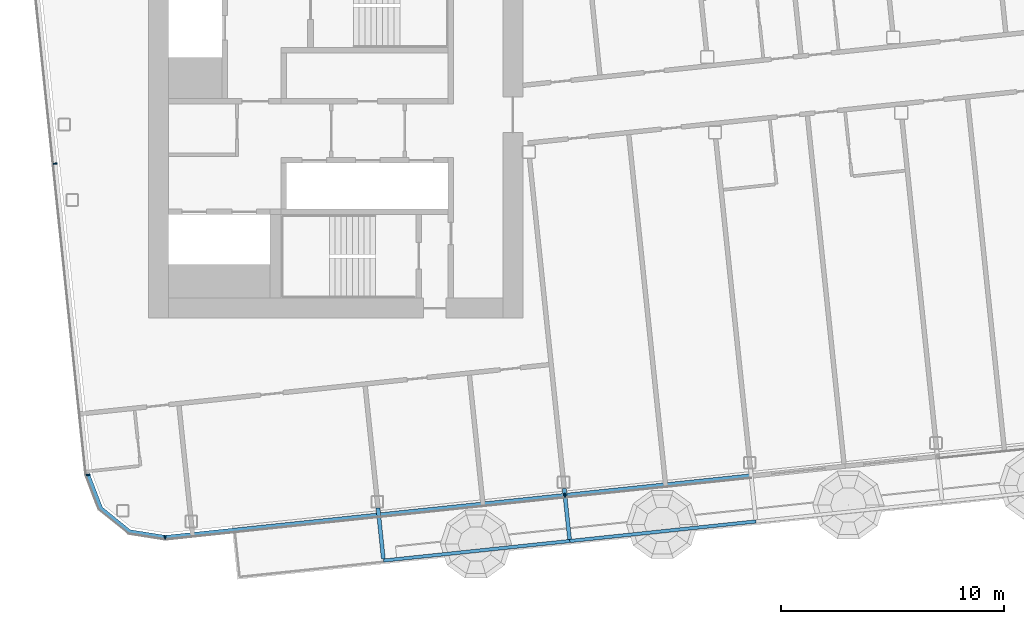
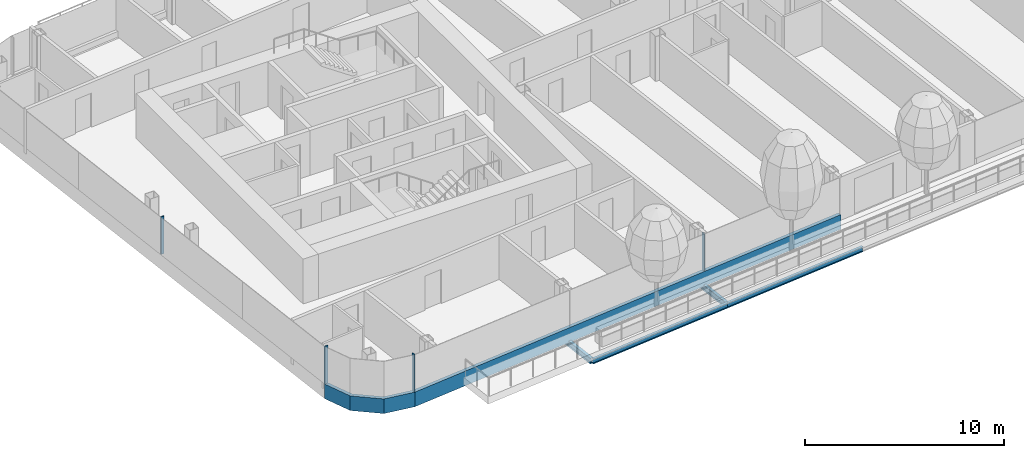
# One storey, part 3 of 29: 6 members, 4 beams, 3 elements without a shape of their own.
"""IFC4 building model written with IfcOpenShell, lengths in metres."""

from ifc_helpers import new_model, si_unit, direction, frame, origin, origin_2d, place, context, subcontext, project, spatial, polyline, rectangle, i_section, outline, extrude, material, layer, layer_set, material_profile, profile_set, type_object, element, aggregate, save


model = new_model("IFC4")

# Units and contexts
model_context = context("Model", 3, precision=1e-05, world=origin(), true_north=direction((0.0, 1.0)))
body_context = subcontext(model_context, "Body", "Model", "MODEL_VIEW")
ifc_project = project(units=[si_unit("LENGTHUNIT", "METRE"), si_unit("AREAUNIT", "SQUARE_METRE"), si_unit("VOLUMEUNIT", "CUBIC_METRE"), si_unit("PLANEANGLEUNIT", "RADIAN"), si_unit("MASSUNIT", "GRAM", prefix="KILO")], contexts=[model_context])

# Site, building, storey
site_placement = place(None, origin())
site = spatial("IfcSite", under=ifc_project, at=site_placement, CompositionType="ELEMENT")
building_placement = place(site_placement, origin())
building = spatial("IfcBuilding", under=site, at=building_placement, Name="Hakoniwa Tower and Hamabe Station Hall", CompositionType="ELEMENT")
storey_placement = place(building_placement, frame((0.0, 0.0, 258.199951171875)))
storey = spatial("IfcBuildingStorey", under=building, at=storey_placement, Name="L73", CompositionType="ELEMENT", Elevation=258.199951171875)

# Beams
ifc_material_1 = material(Name="Steel SN490B", Category="steel")
ifc_material_profile_1 = material_profile(ifc_material_1, i_section(OverallWidth=0.175048828125, OverallDepth=0.35009765625, WebThickness=0.007080078125, FlangeThickness=0.010986328125, FilletRadius=0.013916015625, at=origin_2d()), Name="H-350x175x7x11")
ifc_profile_set_1 = profile_set([ifc_material_profile_1], Name="Steel SN490B")
beam_type_1 = type_object("IfcBeamType", Name="BALCONY BRACKET H-350x175x7x11", PredefinedType="BEAM", material=ifc_profile_set_1)
for number, where, z_axis, x_axis, name in (
    (1, (-23.298095703125, -16.916748046875, -0.625), (0.104557694553, -0.994518822602, 0.0), (0.994518822602, 0.104557694553, 0.0), "Balcony bracket B5-4-A5"),
    (2, (-14.944091796875, -16.03857421875, -0.625), (0.104557694553, -0.994518822602, 0.0), (0.994518822602, 0.104557694553, 0.0), "Balcony bracket B5-5-A5"),
):
    element("IfcBeam", number, at=place(storey_placement, frame(where, z_axis=z_axis, x_axis=x_axis)), inside=storey, type_object=beam_type_1, Name=name, PredefinedType="BEAM", context=body_context, shape_type="SweptSolid", body=[
        extrude(i_section(OverallWidth=0.175048828125, OverallDepth=0.35009765625, WebThickness=0.007080078125, FlangeThickness=0.010986328125, FilletRadius=0.013916015625, at=origin_2d()), origin(), (0.0, 0.0, 1.0), 2.300048828125),
    ])
ifc_material_2 = material(Name="Steel SN490B", Category="steel")
ifc_material_profile_2 = material_profile(ifc_material_2, i_section(OverallWidth=0.14990234375, OverallDepth=0.300048828125, WebThickness=0.006591796875, FlangeThickness=0.009033203125, FilletRadius=0.012939453125, at=origin_2d()), Name="H-300x150x6.5x9")
ifc_profile_set_2 = profile_set([ifc_material_profile_2], Name="Steel SN490B")
beam_type_2 = type_object("IfcBeamType", Name="BALCONY EDGE BEAM H-300x150x6.5x9", PredefinedType="BEAM", material=ifc_profile_set_2)
beam_1_placement = place(storey_placement, frame((-23.0498046875, -19.27880859375, -0.599853515625), z_axis=(0.994520253788, 0.104544080685, 0.0), x_axis=(-0.104544080685, 0.994520253788, 0.0)))
element("IfcBeam", 3, at=beam_1_placement, inside=storey, type_object=beam_type_2, Name="Balcony edge beam B5-4-A5-B5-5-A5", PredefinedType="BEAM", context=body_context, shape_type="SweptSolid", body=[
    extrude(i_section(OverallWidth=0.14990234375, OverallDepth=0.300048828125, WebThickness=0.006591796875, FlangeThickness=0.009033203125, FilletRadius=0.012939453125, at=origin_2d()), origin(), (0.0, 0.0, 1.0), 8.400146484375),
])
beam_2_placement = place(storey_placement, frame((-14.69580078125, -18.400634765625, -0.599853515625), z_axis=(0.994523275226, 0.104515333968, 0.0), x_axis=(-0.104515333968, 0.994523275226, 0.0)))
element("IfcBeam", 4, at=beam_2_placement, inside=storey, type_object=beam_type_2, Name="Balcony edge beam B5-5-A5-B5-6-A5", PredefinedType="BEAM", context=body_context, shape_type="SweptSolid", body=[
    extrude(i_section(OverallWidth=0.14990234375, OverallDepth=0.300048828125, WebThickness=0.006591796875, FlangeThickness=0.009033203125, FilletRadius=0.012939453125, at=origin_2d()), origin(), (0.0, 0.0, 1.0), 8.39990234375),
])

# Curtain wall, member
ifc_material_3 = material(Name="Dark low-e laminated glass", Category="glass")
ifc_layer = layer(ifc_material_3, 0.199951171875)
ifc_layer_set = layer_set([ifc_layer], Name="CW-1 UNITISED GUEST")
curtain_wall_type = type_object("IfcCurtainWallType", Name="CW-1 UNITISED GUEST", PredefinedType="NOTDEFINED", material=ifc_layer_set)
curtain_wall_1_placement = place(storey_placement, origin())
curtain_wall_1 = element("IfcCurtainWall", 5, at=curtain_wall_1_placement, inside=storey, type_object=curtain_wall_type, Name="CW-1 curtain wall", PredefinedType="NOTDEFINED")
ifc_material_4 = material(Name="Aluminium 6063-T5 black anodised", Category="aluminium")
ifc_material_profile_3 = material_profile(ifc_material_4, rectangle(XDim=0.199951171875, YDim=0.89990234375, at=origin_2d()), Name="CW SLAB-EDGE BAND 900X200")
ifc_profile_set_3 = profile_set([ifc_material_profile_3], Name="Aluminium 6063-T5 black anodised")
member_type_1 = type_object("IfcMemberType", Name="CW SLAB-EDGE BAND 900X200", PredefinedType="USERDEFINED", material=ifc_profile_set_3)
member_1_placement = place(storey_placement, frame((0.0, 0.0, -0.550048828125)))
member_1 = element("IfcMember", 6, at=member_1_placement, type_object=member_type_1, Name="CW-1 transom", ObjectType="TRANSOM", PredefinedType="USERDEFINED", context=body_context, shape_type="SweptSolid", body=[
    extrude(outline(polyline([(-36.423828125, -15.445068359375), (-35.82421875, -17.0068359375), (-34.492431640625, -18.085205078125), (-32.84033203125, -18.346923828125), (-32.80908203125, -18.1494140625), (-34.408203125, -17.89599609375), (-35.65673828125, -16.885009765625), (-36.237060546875, -15.37353515625), (-36.423828125, -15.445068359375)])), origin(), (0.0, 0.0, 1.0), 0.900146484375),
])
aggregate(curtain_wall_1, [member_1])

curtain_wall_2_placement = place(storey_placement, origin())
curtain_wall_2 = element("IfcCurtainWall", 7, at=curtain_wall_2_placement, inside=storey, type_object=curtain_wall_type, Name="CW-1 curtain wall", PredefinedType="NOTDEFINED")
member_2_placement = place(storey_placement, frame((-32.850830078125, -18.24755859375, -0.099853515625), z_axis=(0.994521696145, 0.104530358733, 0.0), x_axis=(-0.104530358733, 0.994521696145, 0.0)))
member_2 = element("IfcMember", 8, at=member_2_placement, type_object=member_type_1, Name="CW-1 transom", ObjectType="TRANSOM", PredefinedType="USERDEFINED", context=body_context, shape_type="SweptSolid", body=[
    extrude(rectangle(XDim=0.199951171875, YDim=0.89990234375, at=origin_2d()), origin(), (0.0, 0.0, 1.0), 26.499755859375),
])

# Curtain wall, members
curtain_wall_3_placement = place(storey_placement, origin())
curtain_wall_3 = element("IfcCurtainWall", 9, at=curtain_wall_3_placement, inside=storey, type_object=curtain_wall_type, Name="CW-1 curtain wall", PredefinedType="NOTDEFINED")
ifc_material_5 = material(Name="Aluminium 6063-T5 black anodised", Category="aluminium")
ifc_material_profile_4 = material_profile(ifc_material_5, rectangle(XDim=0.06005859375, YDim=0.179931640625, at=origin_2d()), Name="CW-1 MULLION 60X180")
ifc_profile_set_4 = profile_set([ifc_material_profile_4], Name="Aluminium 6063-T5 black anodised")
member_type_2 = type_object("IfcMemberType", Name="CW-1 MULLION 60X180", PredefinedType="MULLION", material=ifc_profile_set_4)
member_3_placement = place(storey_placement, frame((-37.77392578125, -1.47021484375, 0.35009765625), z_axis=(0.0, 0.0, 1.0), x_axis=(0.104528468631, -0.994521894805, 0.0)))
member_3 = element("IfcMember", 10, at=member_3_placement, type_object=member_type_2, Name="CW-1 mullion", PredefinedType="MULLION", context=body_context, shape_type="SweptSolid", body=[
    extrude(rectangle(XDim=0.06005859375, YDim=0.179931640625, at=origin_2d()), origin(), (0.0, 0.0, 1.0), 2.300048828125),
])
member_4_placement = place(storey_placement, frame((-36.306396484375, -15.432861328125, 0.35009765625), z_axis=(0.0, 0.0, 1.0), x_axis=(0.104528468631, -0.994521894805, 0.0)))
member_4 = element("IfcMember", 11, at=member_4_placement, type_object=member_type_2, Name="CW-1 mullion", PredefinedType="MULLION", context=body_context, shape_type="SweptSolid", body=[
    extrude(rectangle(XDim=0.06005859375, YDim=0.179931640625, at=origin_2d()), origin(), (0.0, 0.0, 1.0), 2.300048828125),
])
aggregate(curtain_wall_3, [member_3, member_4])

# Member
member_5_placement = place(storey_placement, frame((-32.8525390625, -18.2294921875, 0.35009765625), z_axis=(0.0, 0.0, 1.0), x_axis=(0.994521895272, 0.104528464188, 0.0)))
member_5 = element("IfcMember", 12, at=member_5_placement, type_object=member_type_2, Name="CW-1 mullion", PredefinedType="MULLION", context=body_context, shape_type="SweptSolid", body=[
    extrude(rectangle(XDim=0.06005859375, YDim=0.179931640625, at=origin_2d()), origin(), (0.0, 0.0, 1.0), 2.300048828125),
])

member_6_placement = place(storey_placement, frame((-14.911865234375, -16.343994140625, 0.35009765625), z_axis=(0.0, 0.0, 1.0), x_axis=(0.994521895272, 0.104528464188, 0.0)))
member_6 = element("IfcMember", 13, at=member_6_placement, type_object=member_type_2, Name="CW-1 mullion", PredefinedType="MULLION", context=body_context, shape_type="SweptSolid", body=[
    extrude(rectangle(XDim=0.06005859375, YDim=0.179931640625, at=origin_2d()), origin(), (0.0, 0.0, 1.0), 2.300048828125),
])

aggregate(curtain_wall_2, [member_5, member_6, member_2])

save(model, "model.ifc")
